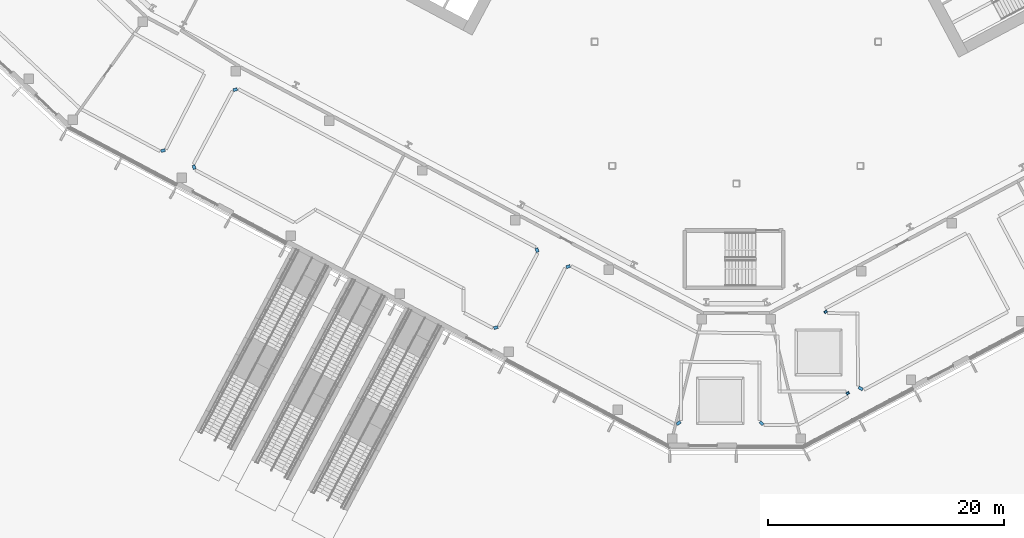
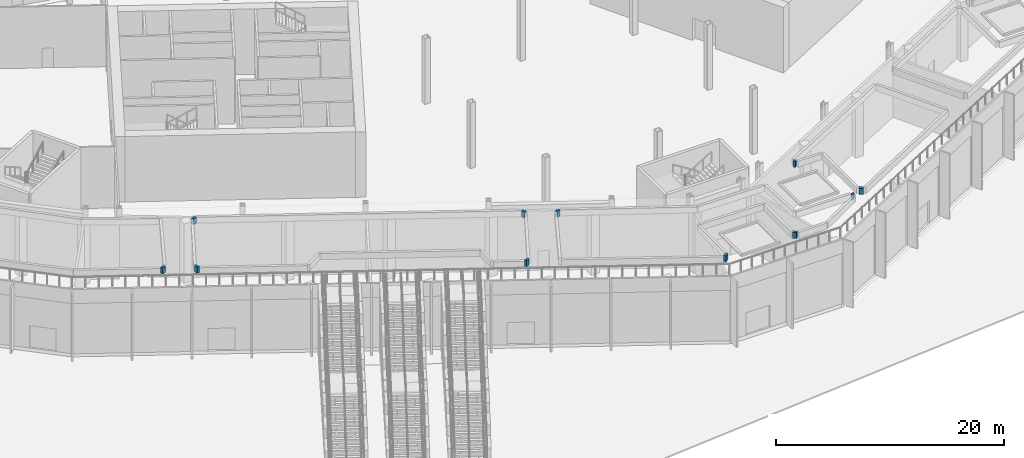
# One storey, part 28 of 57: 11 walls.
"""IFC4 building model written with IfcOpenShell, lengths in metres."""

from ifc_helpers import new_model, si_unit, direction, frame, frame_2d, origin, place, context, subcontext, project, spatial, rectangle, extrude, material, layer, layer_set, type_object, element, save


model = new_model("IFC4")

# Units and contexts
model_context = context("Model", 3, precision=1e-05, world=origin(), true_north=direction((0.0, 1.0)))
body_context = subcontext(model_context, "Body", "Model", "MODEL_VIEW")
ifc_project = project(units=[si_unit("LENGTHUNIT", "METRE"), si_unit("AREAUNIT", "SQUARE_METRE"), si_unit("VOLUMEUNIT", "CUBIC_METRE"), si_unit("PLANEANGLEUNIT", "RADIAN"), si_unit("MASSUNIT", "GRAM", prefix="KILO")], contexts=[model_context])

# Site, building, storey
site_placement = place(None, origin())
site = spatial("IfcSite", under=ifc_project, at=site_placement, CompositionType="ELEMENT")
building_placement = place(site_placement, origin())
building = spatial("IfcBuilding", under=site, at=building_placement, Name="Cormorant Relay Tower", CompositionType="ELEMENT")
storey_placement = place(building_placement, origin())
storey = spatial("IfcBuildingStorey", under=building, at=storey_placement, Name="L00", CompositionType="ELEMENT", Elevation=0.0)

# Walls
ifc_material = material(Name="Concrete 40 MPa", Category="concrete")
ifc_layer = layer(ifc_material, 0.25)
ifc_layer_set = layer_set([ifc_layer], Name="Planter kerb 250")
wall_type = type_object("IfcWallType", Name="Planter kerb 250", PredefinedType="STANDARD", material=ifc_layer_set)
wall_1_placement = place(storey_placement, frame((-4.735107421875, -32.150390625, 7.0), z_axis=(0.0, 0.0, 1.0), x_axis=(-0.799153268781, -0.601127318458, 0.0)))
element("IfcWall", 1, at=wall_1_placement, inside=storey, type_object=wall_type, Name="PLANTER 01 kerb", PredefinedType="STANDARD", context=body_context, shape_type="SweptSolid", body=[
    extrude(rectangle(XDim=0.380859375, YDim=0.25, at=frame_2d((0.1904296875, 0.0))), origin(), (0.0, 0.0, 1.0), 0.64990234375),
])
wall_2_placement = place(storey_placement, frame((-14.40771484375, -19.083251953125, 7.0), z_axis=(0.0, 0.0, 1.0), x_axis=(0.956324996462, 0.292305492834, 0.0)))
element("IfcWall", 2, at=wall_2_placement, inside=storey, type_object=wall_type, Name="PLANTER 01 kerb", PredefinedType="STANDARD", context=body_context, shape_type="SweptSolid", body=[
    extrude(rectangle(XDim=0.356689453125, YDim=0.25, at=frame_2d((0.17822265625, 0.0))), origin(), (0.0, 0.0, 1.0), 0.64990234375),
])
wall_3_placement = place(storey_placement, frame((9.364990234375, -29.662353515625, 7.0), z_axis=(0.0, 0.0, 1.0), x_axis=(0.633822610937, -0.773478440466, 0.0)))
element("IfcWall", 3, at=wall_3_placement, inside=storey, type_object=wall_type, Name="PLANTER 01 kerb", PredefinedType="STANDARD", context=body_context, shape_type="SweptSolid", body=[
    extrude(rectangle(XDim=0.20458984375, YDim=0.25, at=frame_2d((0.102294921875, 0.0))), origin(), (0.0, 0.0, 1.0), 0.64990234375),
])
wall_4_placement = place(storey_placement, frame((2.252685546875, -32.412353515625, 7.0), z_axis=(0.0, 0.0, 1.0), x_axis=(-0.707449122826, 0.706764273724, 0.0)))
element("IfcWall", 4, at=wall_4_placement, inside=storey, type_object=wall_type, Name="PLANTER 01 kerb", PredefinedType="STANDARD", context=body_context, shape_type="SweptSolid", body=[
    extrude(rectangle(XDim=0.3564453125, YDim=0.25, at=frame_2d((0.17822265625, 0.0))), origin(), (0.0, 0.0, 1.0), 0.64990234375),
])
wall_5_placement = place(storey_placement, frame((10.687744140625, -29.44189453125, 7.0), z_axis=(0.0, 0.0, 1.0), x_axis=(-0.857278567412, 0.514852850683, 0.0)))
element("IfcWall", 5, at=wall_5_placement, inside=storey, type_object=wall_type, Name="PLANTER 02 kerb", PredefinedType="STANDARD", context=body_context, shape_type="SweptSolid", body=[
    extrude(rectangle(XDim=0.402099609375, YDim=0.25, at=frame_2d((0.201171875, 0.0))), origin(), (0.0, 0.0, 1.0), 0.64990234375),
])
wall_6_placement = place(storey_placement, frame((7.614501953125, -22.92236328125, 7.0), z_axis=(0.0, 0.0, 1.0), x_axis=(-0.633843143995, 0.77346161431, 0.0)))
element("IfcWall", 6, at=wall_6_placement, inside=storey, type_object=wall_type, Name="PLANTER 02 kerb", PredefinedType="STANDARD", context=body_context, shape_type="SweptSolid", body=[
    extrude(rectangle(XDim=0.197509765625, YDim=0.25, at=frame_2d((0.0986328125, 0.0))), origin(), (0.0, 0.0, 1.0), 0.64990234375),
])
wall_7_placement = place(storey_placement, frame((-20.180419921875, -24.1357421875, 7.0), z_axis=(0.0, 0.0, 1.0), x_axis=(-0.956219391228, -0.29265077454, 0.0)))
element("IfcWall", 7, at=wall_7_placement, inside=storey, type_object=wall_type, Name="PLANTER 03 kerb", PredefinedType="STANDARD", context=body_context, shape_type="SweptSolid", body=[
    extrude(rectangle(XDim=0.358642578125, YDim=0.25, at=frame_2d((0.17919921875, 0.0))), origin(), (0.0, 0.0, 1.0), 0.64990234375),
])
wall_8_placement = place(storey_placement, frame((-45.8369140625, -10.78125, 7.0), z_axis=(0.0, 0.0, 1.0), x_axis=(-0.292218535599, 0.956351571051, 0.0)))
element("IfcWall", 8, at=wall_8_placement, inside=storey, type_object=wall_type, Name="PLANTER 03 kerb", PredefinedType="STANDARD", context=body_context, shape_type="SweptSolid", body=[
    extrude(rectangle(XDim=0.3583984375, YDim=0.25, at=frame_2d((0.17919921875, 0.0))), origin(), (0.0, 0.0, 1.0), 0.64990234375),
])
for number, where, z_axis, x_axis, name in (
    (9, (-42.57568359375, -4.10791015625, 7.0), (0.0, 0.0, 1.0), (0.956409679833, 0.2920282937, 0.0), "PLANTER 03 kerb"),
    (10, (-16.919189453125, -17.46240234375, 7.0), (0.0, 0.0, 1.0), (0.2920282937, -0.956409679833, 0.0), "PLANTER 03 kerb"),
):
    element("IfcWall", number, at=place(storey_placement, frame(where, z_axis=z_axis, x_axis=x_axis)), inside=storey, type_object=wall_type, Name=name, PredefinedType="STANDARD", context=body_context, shape_type="SweptSolid", body=[
        extrude(rectangle(XDim=0.358642578125, YDim=0.25, at=frame_2d((0.17919921875, 0.0))), origin(), (0.0, 0.0, 1.0), 0.64990234375),
    ])
wall_9_placement = place(storey_placement, frame((-48.348388671875, -9.16064453125, 7.0), z_axis=(0.0, 0.0, 1.0), x_axis=(-0.956340919112, -0.292253394219, 0.0)))
element("IfcWall", 11, at=wall_9_placement, inside=storey, type_object=wall_type, Name="PLANTER 06 kerb", PredefinedType="STANDARD", context=body_context, shape_type="SweptSolid", body=[
    extrude(rectangle(XDim=0.35595703125, YDim=0.25, at=frame_2d((0.177978515625, 0.0))), origin(), (0.0, 0.0, 1.0), 0.64990234375),
])

save(model, "model.ifc")
